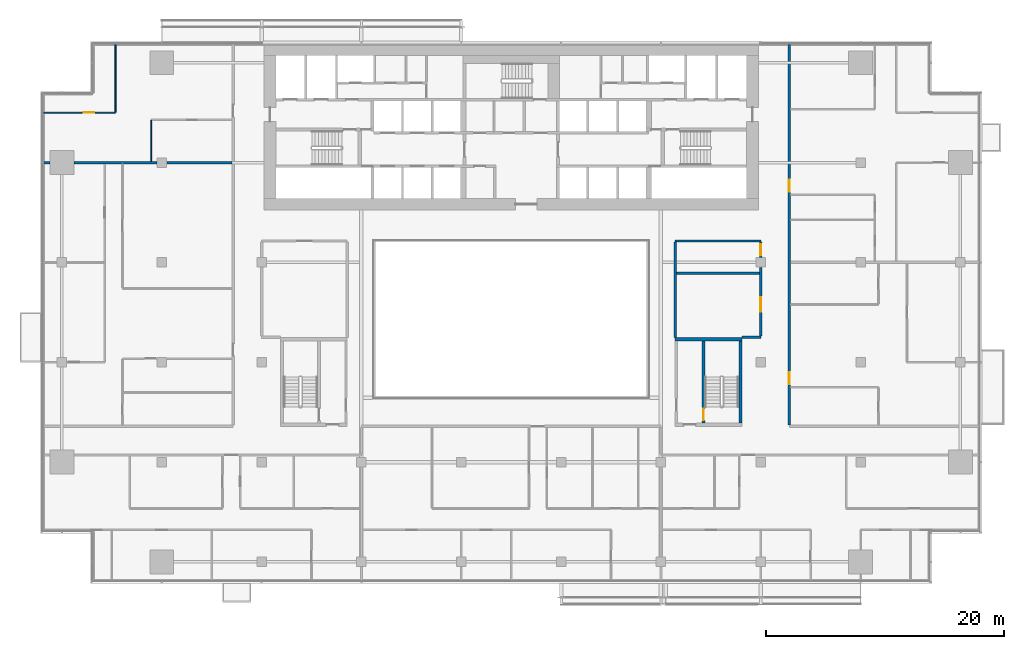
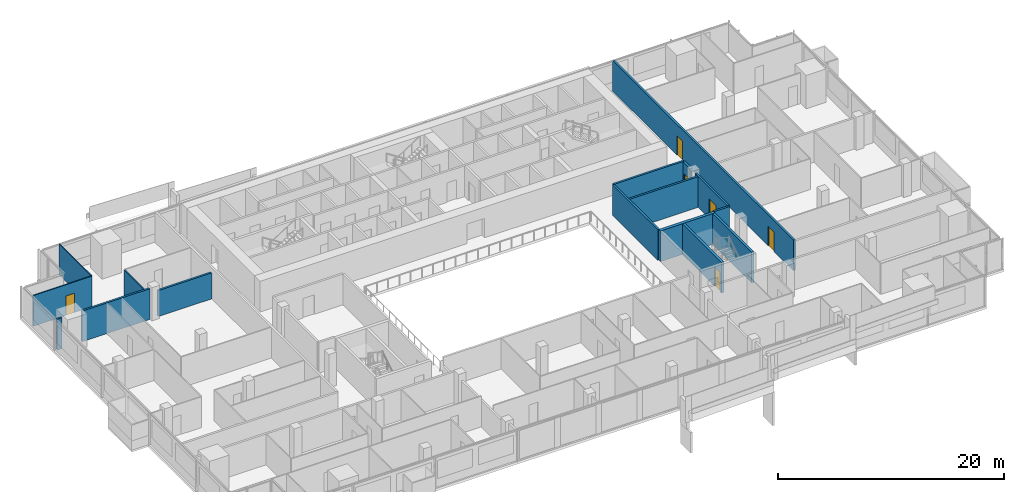
# One storey, part 19 of 27: 16 walls, 6 doors, 6 openings.
"""IFC4 building model written with IfcOpenShell, lengths in metres."""

from ifc_helpers import new_model, si_unit, direction, frame, frame_2d, origin, place, context, subcontext, project, spatial, rectangle, extrude, material, layer, layer_set, type_object, element, fill, save


model = new_model("IFC4")

# Units and contexts
model_context = context("Model", 3, precision=1e-05, world=origin(), true_north=direction((0.0, 1.0)))
body_context = subcontext(model_context, "Body", "Model", "MODEL_VIEW")
ifc_project = project(units=[si_unit("LENGTHUNIT", "METRE"), si_unit("AREAUNIT", "SQUARE_METRE"), si_unit("VOLUMEUNIT", "CUBIC_METRE"), si_unit("PLANEANGLEUNIT", "RADIAN"), si_unit("MASSUNIT", "GRAM", prefix="KILO")], contexts=[model_context])

# Site, building, storey
site_placement = place(None, origin())
site = spatial("IfcSite", under=ifc_project, at=site_placement, CompositionType="ELEMENT")
building_placement = place(site_placement, origin())
building = spatial("IfcBuilding", under=site, at=building_placement, Name="Saffron Gate Tower", CompositionType="ELEMENT")
storey_placement = place(building_placement, frame((0.0, 0.0, 124.050048828125)))
storey = spatial("IfcBuildingStorey", under=building, at=storey_placement, Name="L29", CompositionType="ELEMENT", Elevation=124.050048828125)

# Wall, opening, door
ifc_material_1 = material(Name="Concrete C70", Category="concrete")
ifc_layer_1 = layer(ifc_material_1, 0.25)
ifc_layer_set_1 = layer_set([ifc_layer_1], Name="CW2 RC core wall 250 C70")
wall_type_1 = type_object("IfcWallType", Name="CW2 RC core wall 250 C70", PredefinedType="SOLIDWALL", material=ifc_layer_set_1)
wall_1_placement = place(storey_placement, frame((103.77490234375, 43.5, 0.0), z_axis=(0.0, 0.0, 1.0), x_axis=(0.0, 1.0, 0.0)))
wall_1 = element("IfcWall", 1, at=wall_1_placement, inside=storey, type_object=wall_type_1, Name="Wall CW2-L29-E-3", PredefinedType="SOLIDWALL", context=body_context, shape_type="SweptSolid", body=[
    extrude(rectangle(XDim=6.89990234375, YDim=0.25, at=frame_2d((3.449951171875, 0.0))), origin(), (0.0, 0.0, 1.0), 3.320068359375),
])
opening_1_placement = place(wall_1_placement, frame((0.199951171875, 0.0, 0.0)))
opening_1 = element("IfcOpeningElement", 2, at=opening_1_placement, cuts=wall_1, Name="Opening CR-23", PredefinedType="OPENING", context=body_context, shape_type="SweptSolid", body=[
    extrude(rectangle(XDim=1.0, YDim=2.10009765625, at=frame_2d((0.5, 1.050048828125))), frame((0.0, 0.135009765625, 0.0), z_axis=(0.0, -1.0, 0.0), x_axis=(1.0, 0.0, 0.0)), (0.0, 0.0, 1.0), 0.27001953125),
])
ifc_material_2 = material(Name="Steel fire door set", Category="steel")
door_type_1 = type_object("IfcDoorType", Name="CD5 Stair door 1000x2100 EI 120", OperationType="NOTDEFINED", PredefinedType="DOOR", material=ifc_material_2)
door_1_placement = place(opening_1_placement, origin())
door_1 = element("IfcDoor", 3, at=door_1_placement, inside=storey, type_object=door_type_1, Name="DOOR CR-23", OperationType="SINGLE_SWING_RIGHT", OverallHeight=2.10009765625, OverallWidth=1.0, PredefinedType="DOOR", context=body_context, shape_type="SweptSolid", body=[
    extrude(rectangle(XDim=1.0, YDim=2.10009765625, at=frame_2d((0.5, 1.050048828125))), frame((0.0, 0.02490234375, 0.0), z_axis=(0.0, -1.0, 0.0), x_axis=(1.0, 0.0, 0.0)), (0.0, 0.0, 1.0), 0.050048828125),
])
fill(opening_1, door_1)

# Walls
wall_2_placement = place(storey_placement, frame((106.875, 43.5, 0.0), z_axis=(0.0, 0.0, 1.0), x_axis=(0.0, 1.0, 0.0)))
element("IfcWall", 4, at=wall_2_placement, inside=storey, type_object=wall_type_1, Name="Wall CW2-L29-E-4", PredefinedType="SOLIDWALL", context=body_context, shape_type="SweptSolid", body=[
    extrude(rectangle(XDim=6.89990234375, YDim=0.25, at=frame_2d((3.449951171875, 0.0))), origin(), (0.0, 0.0, 1.0), 3.320068359375),
])
ifc_layer_2 = layer(ifc_material_1, 0.300048828125)
ifc_layer_set_2 = layer_set([ifc_layer_2], Name="CW5 RC core wall 300 C70")
wall_type_2 = type_object("IfcWallType", Name="CW5 RC core wall 300 C70", PredefinedType="SOLIDWALL", material=ifc_layer_set_2)
wall_3_placement = place(storey_placement, frame((101.39990234375, 50.550048828125, 0.0), z_axis=(0.0, 0.0, 1.0), x_axis=(1.0, 0.0, 0.0)))
element("IfcWall", 5, at=wall_3_placement, inside=storey, type_object=wall_type_2, Name="Wall CW5-L29-E-5", PredefinedType="SOLIDWALL", context=body_context, shape_type="SweptSolid", body=[
    extrude(rectangle(XDim=5.60009765625, YDim=0.300048828125, at=frame_2d((2.800048828125, 0.0))), origin(), (0.0, 0.0, 1.0), 3.320068359375),
])

# Wall, opening, door
ifc_material_3 = material(Name="Plasterboard on steel studs", Category="steel")
ifc_layer_3 = layer(ifc_material_3, 0.10009765625)
ifc_layer_set_3 = layer_set([ifc_layer_3], Name="PW1 Partition 100")
wall_type_3 = type_object("IfcWallType", Name="PW1 Partition 100", PredefinedType="PARTITIONING", material=ifc_layer_set_3)
wall_4_placement = place(storey_placement, frame((48.280029296875, 69.60009765625, 0.0), z_axis=(0.0, 0.0, 1.0), x_axis=(1.0, 0.0, 0.0)))
wall_4 = element("IfcWall", 6, at=wall_4_placement, inside=storey, type_object=wall_type_3, Name="Partition B3-44", PredefinedType="PARTITIONING", context=body_context, shape_type="SweptSolid", body=[
    extrude(rectangle(XDim=6.02001953125, YDim=0.10009765625, at=frame_2d((3.010009765625, 0.0))), origin(), (0.0, 0.0, 1.0), 3.320068359375),
])
opening_2_placement = place(wall_4_placement, frame((3.3388671875, 0.0, 0.0)))
opening_2 = element("IfcOpeningElement", 7, at=opening_2_placement, cuts=wall_4, Name="Opening B3-25", PredefinedType="OPENING", context=body_context, shape_type="SweptSolid", body=[
    extrude(rectangle(XDim=0.89990234375, YDim=2.10009765625, at=frame_2d((0.449951171875, 1.050048828125))), frame((0.0, 0.06005859375, 0.0), z_axis=(0.0, -1.0, 0.0), x_axis=(1.0, 0.0, 0.0)), (0.0, 0.0, 1.0), 0.1201171875),
])
ifc_material_4 = material(Name="Timber door set", Category="wood")
door_type_2 = type_object("IfcDoorType", Name="RD1 Room door 900x2100", OperationType="NOTDEFINED", PredefinedType="DOOR", material=ifc_material_4)
door_2_placement = place(opening_2_placement, origin())
door_2 = element("IfcDoor", 8, at=door_2_placement, inside=storey, type_object=door_type_2, Name="Door B3-25", OperationType="SINGLE_SWING_RIGHT", OverallHeight=2.10009765625, OverallWidth=0.89990234375, PredefinedType="DOOR", context=body_context, shape_type="SweptSolid", body=[
    extrude(rectangle(XDim=0.89990234375, YDim=2.10009765625, at=frame_2d((0.449951171875, 1.050048828125))), frame((0.0, 0.02490234375, 0.0), z_axis=(0.0, -1.0, 0.0), x_axis=(1.0, 0.0, 0.0)), (0.0, 0.0, 1.0), 0.050048828125),
])
fill(opening_2, door_2)

# Walls
wall_5_placement = place(storey_placement, frame((54.300048828125, 75.320068359375, 0.0), z_axis=(0.0, 0.0, 1.0), x_axis=(0.0, -1.0, 0.0)))
element("IfcWall", 9, at=wall_5_placement, inside=storey, type_object=wall_type_3, Name="Partition B3-49", PredefinedType="PARTITIONING", context=body_context, shape_type="SweptSolid", body=[
    extrude(rectangle(XDim=5.670166015625, YDim=0.10009765625, at=frame_2d((2.8349609375, 0.0))), origin(), (0.0, 0.0, 1.0), 3.320068359375),
])
wall_6_placement = place(storey_placement, frame((57.300048828125, 68.949951171875, 0.0), z_axis=(0.0, 0.0, 1.0), x_axis=(0.0, -1.0, 0.0)))
element("IfcWall", 10, at=wall_6_placement, inside=storey, type_object=wall_type_3, Name="Partition B3-53", PredefinedType="PARTITIONING", context=body_context, shape_type="SweptSolid", body=[
    extrude(rectangle(XDim=3.449951171875, YDim=0.10009765625, at=frame_2d((1.72509765625, 0.0))), origin(), (0.0, 0.0, 1.0), 3.320068359375),
])
ifc_material_5 = material(Name="Clay brick masonry, rendered", Category="masonry")
ifc_layer_4 = layer(ifc_material_5, 0.199951171875)
ifc_layer_set_4 = layer_set([ifc_layer_4], Name="PW2 Demising wall 200")
wall_type_4 = type_object("IfcWallType", Name="PW2 Demising wall 200", PredefinedType="PARTITIONING", material=ifc_layer_set_4)
wall_7_placement = place(storey_placement, frame((48.280029296875, 65.39990234375, 0.0), z_axis=(0.0, 0.0, 1.0), x_axis=(1.0, 0.0, 0.0)))
element("IfcWall", 11, at=wall_7_placement, inside=storey, type_object=wall_type_4, Name="Wall B3-38", PredefinedType="PARTITIONING", context=body_context, shape_type="SweptSolid", body=[
    extrude(rectangle(XDim=0.5, YDim=0.199951171875, at=frame_2d((0.25, 0.0))), origin(), (0.0, 0.0, 1.0), 3.320068359375),
])
wall_8_placement = place(storey_placement, frame((50.820068359375, 65.39990234375, 0.0), z_axis=(0.0, 0.0, 1.0), x_axis=(1.0, 0.0, 0.0)))
element("IfcWall", 12, at=wall_8_placement, inside=storey, type_object=wall_type_4, Name="Wall B3-39", PredefinedType="PARTITIONING", context=body_context, shape_type="SweptSolid", body=[
    extrude(rectangle(XDim=6.9599609375, YDim=0.199951171875, at=frame_2d((3.47998046875, 0.0))), origin(), (0.0, 0.0, 1.0), 3.320068359375),
])
wall_9_placement = place(storey_placement, frame((58.6201171875, 65.39990234375, 0.0), z_axis=(0.0, 0.0, 1.0), x_axis=(1.0, 0.0, 0.0)))
element("IfcWall", 13, at=wall_9_placement, inside=storey, type_object=wall_type_4, Name="Wall B3-40", PredefinedType="PARTITIONING", context=body_context, shape_type="SweptSolid", body=[
    extrude(rectangle(XDim=5.47998046875, YDim=0.199951171875, at=frame_2d((2.739990234375, 0.0))), origin(), (0.0, 0.0, 1.0), 2.820068359375),
])
ifc_layer_5 = layer(ifc_material_5, 0.199951171875)
ifc_layer_set_5 = layer_set([ifc_layer_5], Name="PW3 Corridor wall 200")
wall_type_5 = type_object("IfcWallType", Name="PW3 Corridor wall 200", PredefinedType="PARTITIONING", material=ifc_layer_set_5)
wall_10_placement = place(storey_placement, frame((107.0, 50.699951171875, 0.0), z_axis=(0.0, 0.0, 1.0), x_axis=(1.0, 0.0, 0.0)))
element("IfcWall", 14, at=wall_10_placement, inside=storey, type_object=wall_type_5, Name="Wall B3-25", PredefinedType="PARTITIONING", context=body_context, shape_type="SweptSolid", body=[
    extrude(rectangle(XDim=1.60009765625, YDim=0.199951171875, at=frame_2d((0.800048828125, 0.0))), origin(), (0.0, 0.0, 1.0), 3.320068359375),
])
wall_11_placement = place(storey_placement, frame((101.39990234375, 58.800048828125, 0.0), z_axis=(0.0, 0.0, 1.0), x_axis=(1.0, 0.0, 0.0)))
element("IfcWall", 15, at=wall_11_placement, inside=storey, type_object=wall_type_5, Name="Wall B3-35", PredefinedType="PARTITIONING", context=body_context, shape_type="SweptSolid", body=[
    extrude(rectangle(XDim=7.2001953125, YDim=0.199951171875, at=frame_2d((3.60009765625, 0.0))), origin(), (0.0, 0.0, 1.0), 3.320068359375),
])
wall_12_placement = place(storey_placement, frame((101.39990234375, 58.699951171875, 0.0), z_axis=(0.0, 0.0, 1.0), x_axis=(0.0, -1.0, 0.0)))
element("IfcWall", 16, at=wall_12_placement, inside=storey, type_object=wall_type_5, Name="Wall B3-78", PredefinedType="PARTITIONING", context=body_context, shape_type="SweptSolid", body=[
    extrude(rectangle(XDim=8.0, YDim=0.199951171875, at=frame_2d((4.0, 0.0))), origin(), (0.0, 0.0, 1.0), 3.320068359375),
])

# Wall, opening, door
wall_13_placement = place(storey_placement, frame((108.60009765625, 50.800048828125, 0.0), z_axis=(0.0, 0.0, 1.0), x_axis=(0.0, 1.0, 0.0)))
wall_13 = element("IfcWall", 17, at=wall_13_placement, inside=storey, type_object=wall_type_5, Name="Wall B3-81", PredefinedType="PARTITIONING", context=body_context, shape_type="SweptSolid", body=[
    extrude(rectangle(XDim=5.780029296875, YDim=0.199951171875, at=frame_2d((2.89013671875, 0.0))), origin(), (0.0, 0.0, 1.0), 3.320068359375),
])
opening_3_placement = place(wall_13_placement, frame((2.050048828125, 0.0, 0.0)))
opening_3 = element("IfcOpeningElement", 18, at=opening_3_placement, cuts=wall_13, Name="Opening B3-44", PredefinedType="OPENING", context=body_context, shape_type="SweptSolid", body=[
    extrude(rectangle(XDim=1.199951171875, YDim=2.10009765625, at=frame_2d((0.60009765625, 1.050048828125))), frame((0.0, 0.10986328125, 0.0), z_axis=(0.0, -1.0, 0.0), x_axis=(1.0, 0.0, 0.0)), (0.0, 0.0, 1.0), 0.219970703125),
])
door_type_3 = type_object("IfcDoorType", Name="HD1 Hall door 1200x2100", OperationType="NOTDEFINED", PredefinedType="DOOR", material=ifc_material_4)
door_3_placement = place(opening_3_placement, origin())
door_3 = element("IfcDoor", 19, at=door_3_placement, inside=storey, type_object=door_type_3, Name="Door B3-44", OperationType="SINGLE_SWING_RIGHT", OverallHeight=2.10009765625, OverallWidth=1.199951171875, PredefinedType="DOOR", context=body_context, shape_type="SweptSolid", body=[
    extrude(rectangle(XDim=1.199951171875, YDim=2.10009765625, at=frame_2d((0.60009765625, 1.050048828125))), frame((0.0, 0.02490234375, 0.0), z_axis=(0.0, -1.0, 0.0), x_axis=(1.0, 0.0, 0.0)), (0.0, 0.0, 1.0), 0.050048828125),
])
fill(opening_3, door_3)

wall_14_placement = place(storey_placement, frame((108.60009765625, 57.419921875, 0.0), z_axis=(0.0, 0.0, 1.0), x_axis=(0.0, 1.0, 0.0)))
wall_14 = element("IfcWall", 20, at=wall_14_placement, inside=storey, type_object=wall_type_5, Name="Wall B3-82", PredefinedType="PARTITIONING", context=body_context, shape_type="SweptSolid", body=[
    extrude(rectangle(XDim=1.280029296875, YDim=0.199951171875, at=frame_2d((0.64013671875, 0.0))), origin(), (0.0, 0.0, 1.0), 3.320068359375),
])
opening_4_placement = place(wall_14_placement, frame((0.18994140625, 0.0, 0.0)))
opening_4 = element("IfcOpeningElement", 21, at=opening_4_placement, cuts=wall_14, Name="Opening B3-31", PredefinedType="OPENING", context=body_context, shape_type="SweptSolid", body=[
    extrude(rectangle(XDim=0.89990234375, YDim=2.10009765625, at=frame_2d((0.449951171875, 1.050048828125))), frame((0.0, 0.10986328125, 0.0), z_axis=(0.0, -1.0, 0.0), x_axis=(1.0, 0.0, 0.0)), (0.0, 0.0, 1.0), 0.219970703125),
])
door_4_placement = place(opening_4_placement, origin())
door_4 = element("IfcDoor", 22, at=door_4_placement, inside=storey, type_object=door_type_2, Name="Door B3-31", OperationType="SINGLE_SWING_RIGHT", OverallHeight=2.10009765625, OverallWidth=0.89990234375, PredefinedType="DOOR", context=body_context, shape_type="SweptSolid", body=[
    extrude(rectangle(XDim=0.89990234375, YDim=2.10009765625, at=frame_2d((0.449951171875, 1.050048828125))), frame((0.0, 0.02490234375, 0.0), z_axis=(0.0, -1.0, 0.0), x_axis=(1.0, 0.0, 0.0)), (0.0, 0.0, 1.0), 0.050048828125),
])
fill(opening_4, door_4)

# Wall, openings, doors
wall_15_placement = place(storey_placement, frame((111.0, 75.320068359375, 0.0), z_axis=(0.0, 0.0, 1.0), x_axis=(0.0, -1.0, 0.0)))
wall_15 = element("IfcWall", 23, at=wall_15_placement, inside=storey, type_object=wall_type_5, Name="Wall B3-85", PredefinedType="PARTITIONING", context=body_context, shape_type="SweptSolid", body=[
    extrude(rectangle(XDim=32.02001953125, YDim=0.199951171875, at=frame_2d((16.010009765625, 0.0))), origin(), (0.0, 0.0, 1.0), 3.320068359375),
])
opening_5_placement = place(wall_15_placement, frame((11.3701171875, 0.0, 0.0)))
opening_5 = element("IfcOpeningElement", 24, at=opening_5_placement, cuts=wall_15, Name="Opening B3-7", PredefinedType="OPENING", context=body_context, shape_type="SweptSolid", body=[
    extrude(rectangle(XDim=1.0, YDim=2.10009765625, at=frame_2d((0.5, 1.050048828125))), frame((0.0, 0.10986328125, 0.0), z_axis=(0.0, -1.0, 0.0), x_axis=(1.0, 0.0, 0.0)), (0.0, 0.0, 1.0), 0.219970703125),
])
opening_6_placement = place(wall_15_placement, frame((27.570068359375, 0.0, 0.0)))
opening_6 = element("IfcOpeningElement", 25, at=opening_6_placement, cuts=wall_15, Name="Opening B3-6", PredefinedType="OPENING", context=body_context, shape_type="SweptSolid", body=[
    extrude(rectangle(XDim=1.0, YDim=2.10009765625, at=frame_2d((0.5, 1.050048828125))), frame((0.0, 0.10986328125, 0.0), z_axis=(0.0, -1.0, 0.0), x_axis=(1.0, 0.0, 0.0)), (0.0, 0.0, 1.0), 0.219970703125),
])
ifc_material_6 = material(Name="Timber fire door set", Category="wood")
door_type_4 = type_object("IfcDoorType", Name="FD1 Flat entry door 1000x2100", OperationType="NOTDEFINED", PredefinedType="DOOR", material=ifc_material_6)
door_5_placement = place(opening_5_placement, origin())
door_5 = element("IfcDoor", 26, at=door_5_placement, inside=storey, type_object=door_type_4, Name="Door B3-7", OperationType="SINGLE_SWING_LEFT", OverallHeight=2.10009765625, OverallWidth=1.0, PredefinedType="DOOR", context=body_context, shape_type="SweptSolid", body=[
    extrude(rectangle(XDim=1.0, YDim=2.10009765625, at=frame_2d((0.5, 1.050048828125))), frame((0.0, 0.02490234375, 0.0), z_axis=(0.0, -1.0, 0.0), x_axis=(1.0, 0.0, 0.0)), (0.0, 0.0, 1.0), 0.050048828125),
])
fill(opening_5, door_5)
door_6_placement = place(opening_6_placement, origin())
door_6 = element("IfcDoor", 27, at=door_6_placement, inside=storey, type_object=door_type_4, Name="Door B3-6", OperationType="SINGLE_SWING_LEFT", OverallHeight=2.10009765625, OverallWidth=1.0, PredefinedType="DOOR", context=body_context, shape_type="SweptSolid", body=[
    extrude(rectangle(XDim=1.0, YDim=2.10009765625, at=frame_2d((0.5, 1.050048828125))), frame((0.0, 0.02490234375, 0.0), z_axis=(0.0, -1.0, 0.0), x_axis=(1.0, 0.0, 0.0)), (0.0, 0.0, 1.0), 0.050048828125),
])
fill(opening_6, door_6)

# Wall
ifc_layer_6 = layer(ifc_material_5, 0.199951171875)
ifc_layer_set_6 = layer_set([ifc_layer_6], Name="PW5 Room wall 200")
wall_type_6 = type_object("IfcWallType", Name="PW5 Room wall 200", PredefinedType="PARTITIONING", material=ifc_layer_set_6)
wall_16_placement = place(storey_placement, frame((101.5, 56.10009765625, 0.0), z_axis=(0.0, 0.0, 1.0), x_axis=(1.0, 0.0, 0.0)))
element("IfcWall", 28, at=wall_16_placement, inside=storey, type_object=wall_type_6, Name="Wall B3-28", PredefinedType="PARTITIONING", context=body_context, shape_type="SweptSolid", body=[
    extrude(rectangle(XDim=7.0, YDim=0.199951171875, at=frame_2d((3.5, 0.0))), origin(), (0.0, 0.0, 1.0), 3.320068359375),
])

save(model, "model.ifc")
